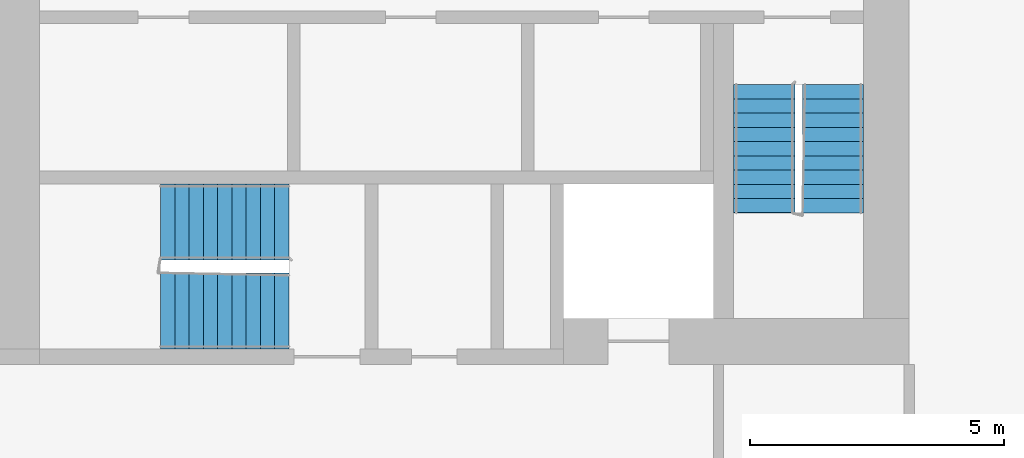
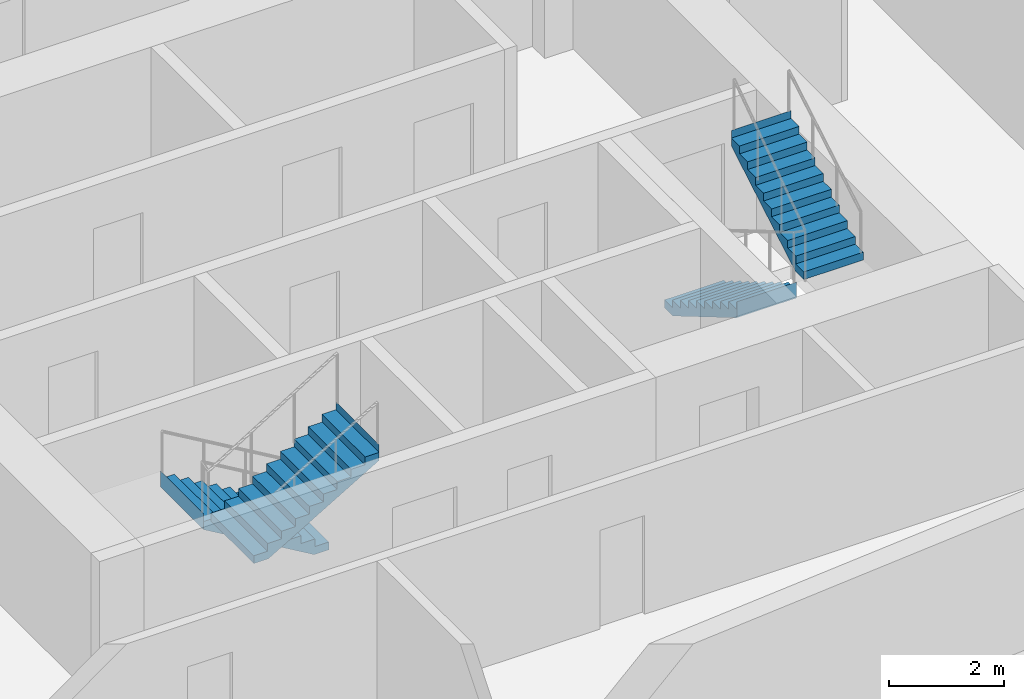
# One storey, part 8 of 11: 4 stair flights, 2 elements without a shape of their own.
"""IFC4 building model written with IfcOpenShell, lengths in metres."""

from ifc_helpers import new_model, si_unit, direction, frame, origin, place, context, subcontext, project, spatial, faceted_brep, material, type_object, element, aggregate, save


model = new_model("IFC4")

# Units and contexts
model_context = context("Model", 3, precision=1e-05, world=origin(), true_north=direction((0.0, 1.0)))
body_context = subcontext(model_context, "Body", "Model", "MODEL_VIEW")
ifc_project = project(units=[si_unit("LENGTHUNIT", "METRE"), si_unit("AREAUNIT", "SQUARE_METRE"), si_unit("VOLUMEUNIT", "CUBIC_METRE"), si_unit("PLANEANGLEUNIT", "RADIAN"), si_unit("MASSUNIT", "GRAM", prefix="KILO")], contexts=[model_context])

# Site, building, storey
site_placement = place(None, origin())
site = spatial("IfcSite", under=ifc_project, at=site_placement, CompositionType="ELEMENT")
building_placement = place(site_placement, origin())
building = spatial("IfcBuilding", under=site, at=building_placement, Name="Kajstack Hotel Tower", CompositionType="ELEMENT")
storey_placement = place(building_placement, frame((0.0, 0.0, 285.0)))
storey = spatial("IfcBuildingStorey", under=building, at=storey_placement, Name="L71", CompositionType="ELEMENT", Elevation=285.0)

# Stair, stair flights
ifc_material = material(Name="Concrete C40/50", Category="concrete")
stair_type_1 = type_object("IfcStairType", Name="Exit stair 1200", PredefinedType="HALF_TURN_STAIR", material=ifc_material)
stair_1_placement = place(storey_placement, origin())
stair_1 = element("IfcStair", 1, at=stair_1_placement, inside=storey, type_object=stair_type_1, Name="L71 stair W2", PredefinedType="HALF_TURN_STAIR")
stair_flight_type_1 = type_object("IfcStairFlightType", Name="Exit stair flight 1200", PredefinedType="STRAIGHT", material=ifc_material)
stair_flight_1_placement = place(storey_placement, frame((-16.35009765625, -10.0, 0.0), z_axis=(0.0, 0.0, 1.0), x_axis=(0.0, -1.0, 0.0)))
stair_flight_1 = element("IfcStairFlight", 2, at=stair_flight_1_placement, type_object=stair_flight_type_1, Name="W2 flight 1", NumberOfRisers=10, NumberOfTreads=9, PredefinedType="STRAIGHT", RiserHeight=0.165, TreadLength=0.28, context=body_context, shape_type="Brep", body=[
    faceted_brep([(0.295654296875, -0.60009765625, 0.0), (2.5205078125, -0.60009765625, 1.31103515625), (2.5205078125, -0.60009765625, 1.64990234375), (2.52001953125, -0.60009765625, 1.64990234375), (2.52001953125, -0.60009765625, 1.485107421875), (2.239990234375, -0.60009765625, 1.485107421875), (2.239990234375, -0.60009765625, 1.320068359375), (1.9599609375, -0.60009765625, 1.320068359375), (1.9599609375, -0.60009765625, 1.155029296875), (1.679931640625, -0.60009765625, 1.155029296875), (1.679931640625, -0.60009765625, 0.989990234375), (1.39990234375, -0.60009765625, 0.989990234375), (1.39990234375, -0.60009765625, 0.824951171875), (1.1201171875, -0.60009765625, 0.824951171875), (1.1201171875, -0.60009765625, 0.659912109375), (0.840087890625, -0.60009765625, 0.659912109375), (0.840087890625, -0.60009765625, 0.4951171875), (0.56005859375, -0.60009765625, 0.4951171875), (0.56005859375, -0.60009765625, 0.330078125), (0.280029296875, -0.60009765625, 0.330078125), (0.280029296875, -0.60009765625, 0.1650390625), (-0.00048828125, -0.60009765625, 0.1650390625), (-0.00048828125, -0.60009765625, 0.0), (-0.00048828125, 0.60009765625, 0.0), (-0.00048828125, 0.60009765625, 0.1650390625), (0.280029296875, 0.60009765625, 0.1650390625), (0.280029296875, 0.60009765625, 0.330078125), (0.56005859375, 0.60009765625, 0.330078125), (0.56005859375, 0.60009765625, 0.4951171875), (0.840087890625, 0.60009765625, 0.4951171875), (0.840087890625, 0.60009765625, 0.659912109375), (1.1201171875, 0.60009765625, 0.659912109375), (1.1201171875, 0.60009765625, 0.824951171875), (1.39990234375, 0.60009765625, 0.824951171875), (1.39990234375, 0.60009765625, 0.989990234375), (1.679931640625, 0.60009765625, 0.989990234375), (1.679931640625, 0.60009765625, 1.155029296875), (1.9599609375, 0.60009765625, 1.155029296875), (1.9599609375, 0.60009765625, 1.320068359375), (2.239990234375, 0.60009765625, 1.320068359375), (2.239990234375, 0.60009765625, 1.485107421875), (2.52001953125, 0.60009765625, 1.485107421875), (2.52001953125, 0.60009765625, 1.64990234375), (2.5205078125, 0.60009765625, 1.64990234375), (2.5205078125, 0.60009765625, 1.31103515625), (0.295654296875, 0.60009765625, 0.0), (-0.00048828125, -0.300048828125, 0.1650390625), (-0.00048828125, 0.0, 0.1650390625), (-0.00048828125, 0.300048828125, 0.1650390625), (-0.00048828125, 0.300048828125, 0.0), (-0.00048828125, 0.0, 0.0), (-0.00048828125, -0.300048828125, 0.0), (0.280029296875, -0.300048828125, 0.1650390625), (0.280029296875, 0.0, 0.1650390625), (0.280029296875, 0.300048828125, 0.1650390625), (0.280029296875, -0.300048828125, 0.330078125), (0.280029296875, 0.0, 0.330078125), (0.280029296875, 0.300048828125, 0.330078125), (0.56005859375, -0.300048828125, 0.330078125), (0.56005859375, 0.0, 0.330078125), (0.56005859375, 0.300048828125, 0.330078125), (0.56005859375, -0.300048828125, 0.4951171875), (0.56005859375, 0.0, 0.4951171875), (0.56005859375, 0.300048828125, 0.4951171875), (0.840087890625, -0.300048828125, 0.4951171875), (0.840087890625, 0.0, 0.4951171875), (0.840087890625, 0.300048828125, 0.4951171875), (0.840087890625, -0.300048828125, 0.659912109375), (0.840087890625, 0.0, 0.659912109375), (0.840087890625, 0.300048828125, 0.659912109375), (1.1201171875, -0.300048828125, 0.659912109375), (1.1201171875, 0.0, 0.659912109375), (1.1201171875, 0.300048828125, 0.659912109375), (1.1201171875, -0.300048828125, 0.824951171875), (1.1201171875, 0.0, 0.824951171875), (1.1201171875, 0.300048828125, 0.824951171875), (1.39990234375, -0.300048828125, 0.824951171875), (1.39990234375, 0.0, 0.824951171875), (1.39990234375, 0.300048828125, 0.824951171875), (1.39990234375, -0.300048828125, 0.989990234375), (1.39990234375, 0.0, 0.989990234375), (1.39990234375, 0.300048828125, 0.989990234375), (1.679931640625, -0.300048828125, 0.989990234375), (1.679931640625, 0.0, 0.989990234375), (1.679931640625, 0.300048828125, 0.989990234375), (1.679931640625, -0.300048828125, 1.155029296875), (1.679931640625, 0.0, 1.155029296875), (1.679931640625, 0.300048828125, 1.155029296875), (1.9599609375, -0.300048828125, 1.155029296875), (1.9599609375, 0.0, 1.155029296875), (1.9599609375, 0.300048828125, 1.155029296875), (1.9599609375, -0.300048828125, 1.320068359375), (1.9599609375, 0.0, 1.320068359375), (1.9599609375, 0.300048828125, 1.320068359375), (2.239990234375, -0.300048828125, 1.320068359375), (2.239990234375, 0.0, 1.320068359375), (2.239990234375, 0.300048828125, 1.320068359375), (2.239990234375, -0.300048828125, 1.485107421875), (2.239990234375, 0.0, 1.485107421875), (2.239990234375, 0.300048828125, 1.485107421875), (2.52001953125, -0.300048828125, 1.485107421875), (2.52001953125, 0.0, 1.485107421875), (2.52001953125, 0.300048828125, 1.485107421875), (2.52001953125, -0.300048828125, 1.64990234375), (2.52001953125, 0.0, 1.64990234375), (2.52001953125, 0.300048828125, 1.64990234375), (2.5205078125, -0.300048828125, 1.64990234375), (2.5205078125, 0.0, 1.64990234375), (2.5205078125, 0.300048828125, 1.64990234375), (2.5205078125, -0.300048828125, 1.31103515625), (2.5205078125, 0.0, 1.31103515625), (2.5205078125, 0.300048828125, 1.31103515625), (0.295654296875, -0.300048828125, 0.0), (0.295654296875, 0.0, 0.0), (0.295654296875, 0.300048828125, 0.0)], [[[0, 1, 2, 3, 4, 5, 6, 7, 8, 9, 10, 11, 12, 13, 14, 15, 16, 17, 18, 19, 20, 21, 22]], [[23, 24, 25, 26, 27, 28, 29, 30, 31, 32, 33, 34, 35, 36, 37, 38, 39, 40, 41, 42, 43, 44, 45]], [[21, 46, 47, 48, 24, 23, 49, 50, 51, 22]], [[20, 52, 53, 54, 25, 24, 48, 47, 46, 21]], [[19, 55, 56, 57, 26, 25, 54, 53, 52, 20]], [[18, 58, 59, 60, 27, 26, 57, 56, 55, 19]], [[17, 61, 62, 63, 28, 27, 60, 59, 58, 18]], [[16, 64, 65, 66, 29, 28, 63, 62, 61, 17]], [[15, 67, 68, 69, 30, 29, 66, 65, 64, 16]], [[14, 70, 71, 72, 31, 30, 69, 68, 67, 15]], [[13, 73, 74, 75, 32, 31, 72, 71, 70, 14]], [[12, 76, 77, 78, 33, 32, 75, 74, 73, 13]], [[11, 79, 80, 81, 34, 33, 78, 77, 76, 12]], [[10, 82, 83, 84, 35, 34, 81, 80, 79, 11]], [[9, 85, 86, 87, 36, 35, 84, 83, 82, 10]], [[8, 88, 89, 90, 37, 36, 87, 86, 85, 9]], [[7, 91, 92, 93, 38, 37, 90, 89, 88, 8]], [[6, 94, 95, 96, 39, 38, 93, 92, 91, 7]], [[5, 97, 98, 99, 40, 39, 96, 95, 94, 6]], [[4, 100, 101, 102, 41, 40, 99, 98, 97, 5]], [[3, 103, 104, 105, 42, 41, 102, 101, 100, 4]], [[2, 106, 107, 108, 43, 42, 105, 104, 103, 3]], [[1, 109, 110, 111, 44, 43, 108, 107, 106, 2]], [[0, 112, 113, 114, 45, 44, 111, 110, 109, 1]], [[22, 51, 50, 49, 23, 45, 114, 113, 112, 0]]]),
])
stair_flight_2_placement = place(storey_placement, frame((-15.0, -12.52001953125, 1.64990234375), z_axis=(0.0, 0.0, 1.0), x_axis=(0.0, 1.0, 0.0)))
stair_flight_2 = element("IfcStairFlight", 3, at=stair_flight_2_placement, type_object=stair_flight_type_1, Name="W2 flight 2", NumberOfRisers=10, NumberOfTreads=9, PredefinedType="STRAIGHT", RiserHeight=0.165, TreadLength=0.28, context=body_context, shape_type="Brep", body=[
    faceted_brep([(0.295654296875, -0.60009765625, 0.0), (2.5205078125, -0.60009765625, 1.31103515625), (2.5205078125, -0.60009765625, 1.64990234375), (2.52001953125, -0.60009765625, 1.64990234375), (2.52001953125, -0.60009765625, 1.485107421875), (2.239990234375, -0.60009765625, 1.485107421875), (2.239990234375, -0.60009765625, 1.320068359375), (1.9599609375, -0.60009765625, 1.320068359375), (1.9599609375, -0.60009765625, 1.155029296875), (1.679931640625, -0.60009765625, 1.155029296875), (1.679931640625, -0.60009765625, 0.989990234375), (1.39990234375, -0.60009765625, 0.989990234375), (1.39990234375, -0.60009765625, 0.824951171875), (1.1201171875, -0.60009765625, 0.824951171875), (1.1201171875, -0.60009765625, 0.659912109375), (0.840087890625, -0.60009765625, 0.659912109375), (0.840087890625, -0.60009765625, 0.4951171875), (0.56005859375, -0.60009765625, 0.4951171875), (0.56005859375, -0.60009765625, 0.330078125), (0.280029296875, -0.60009765625, 0.330078125), (0.280029296875, -0.60009765625, 0.1650390625), (-0.00048828125, -0.60009765625, 0.1650390625), (-0.00048828125, -0.60009765625, 0.0), (-0.00048828125, 0.60009765625, 0.0), (-0.00048828125, 0.60009765625, 0.1650390625), (0.280029296875, 0.60009765625, 0.1650390625), (0.280029296875, 0.60009765625, 0.330078125), (0.56005859375, 0.60009765625, 0.330078125), (0.56005859375, 0.60009765625, 0.4951171875), (0.840087890625, 0.60009765625, 0.4951171875), (0.840087890625, 0.60009765625, 0.659912109375), (1.1201171875, 0.60009765625, 0.659912109375), (1.1201171875, 0.60009765625, 0.824951171875), (1.39990234375, 0.60009765625, 0.824951171875), (1.39990234375, 0.60009765625, 0.989990234375), (1.679931640625, 0.60009765625, 0.989990234375), (1.679931640625, 0.60009765625, 1.155029296875), (1.9599609375, 0.60009765625, 1.155029296875), (1.9599609375, 0.60009765625, 1.320068359375), (2.239990234375, 0.60009765625, 1.320068359375), (2.239990234375, 0.60009765625, 1.485107421875), (2.52001953125, 0.60009765625, 1.485107421875), (2.52001953125, 0.60009765625, 1.64990234375), (2.5205078125, 0.60009765625, 1.64990234375), (2.5205078125, 0.60009765625, 1.31103515625), (0.295654296875, 0.60009765625, 0.0), (-0.00048828125, -0.300048828125, 0.1650390625), (-0.00048828125, 0.0, 0.1650390625), (-0.00048828125, 0.300048828125, 0.1650390625), (-0.00048828125, 0.300048828125, 0.0), (-0.00048828125, 0.0, 0.0), (-0.00048828125, -0.300048828125, 0.0), (0.280029296875, -0.300048828125, 0.1650390625), (0.280029296875, 0.0, 0.1650390625), (0.280029296875, 0.300048828125, 0.1650390625), (0.280029296875, -0.300048828125, 0.330078125), (0.280029296875, 0.0, 0.330078125), (0.280029296875, 0.300048828125, 0.330078125), (0.56005859375, -0.300048828125, 0.330078125), (0.56005859375, 0.0, 0.330078125), (0.56005859375, 0.300048828125, 0.330078125), (0.56005859375, -0.300048828125, 0.4951171875), (0.56005859375, 0.0, 0.4951171875), (0.56005859375, 0.300048828125, 0.4951171875), (0.840087890625, -0.300048828125, 0.4951171875), (0.840087890625, 0.0, 0.4951171875), (0.840087890625, 0.300048828125, 0.4951171875), (0.840087890625, -0.300048828125, 0.659912109375), (0.840087890625, 0.0, 0.659912109375), (0.840087890625, 0.300048828125, 0.659912109375), (1.1201171875, -0.300048828125, 0.659912109375), (1.1201171875, 0.0, 0.659912109375), (1.1201171875, 0.300048828125, 0.659912109375), (1.1201171875, -0.300048828125, 0.824951171875), (1.1201171875, 0.0, 0.824951171875), (1.1201171875, 0.300048828125, 0.824951171875), (1.39990234375, -0.300048828125, 0.824951171875), (1.39990234375, 0.0, 0.824951171875), (1.39990234375, 0.300048828125, 0.824951171875), (1.39990234375, -0.300048828125, 0.989990234375), (1.39990234375, 0.0, 0.989990234375), (1.39990234375, 0.300048828125, 0.989990234375), (1.679931640625, -0.300048828125, 0.989990234375), (1.679931640625, 0.0, 0.989990234375), (1.679931640625, 0.300048828125, 0.989990234375), (1.679931640625, -0.300048828125, 1.155029296875), (1.679931640625, 0.0, 1.155029296875), (1.679931640625, 0.300048828125, 1.155029296875), (1.9599609375, -0.300048828125, 1.155029296875), (1.9599609375, 0.0, 1.155029296875), (1.9599609375, 0.300048828125, 1.155029296875), (1.9599609375, -0.300048828125, 1.320068359375), (1.9599609375, 0.0, 1.320068359375), (1.9599609375, 0.300048828125, 1.320068359375), (2.239990234375, -0.300048828125, 1.320068359375), (2.239990234375, 0.0, 1.320068359375), (2.239990234375, 0.300048828125, 1.320068359375), (2.239990234375, -0.300048828125, 1.485107421875), (2.239990234375, 0.0, 1.485107421875), (2.239990234375, 0.300048828125, 1.485107421875), (2.52001953125, -0.300048828125, 1.485107421875), (2.52001953125, 0.0, 1.485107421875), (2.52001953125, 0.300048828125, 1.485107421875), (2.52001953125, -0.300048828125, 1.64990234375), (2.52001953125, 0.0, 1.64990234375), (2.52001953125, 0.300048828125, 1.64990234375), (2.5205078125, -0.300048828125, 1.64990234375), (2.5205078125, 0.0, 1.64990234375), (2.5205078125, 0.300048828125, 1.64990234375), (2.5205078125, -0.300048828125, 1.31103515625), (2.5205078125, 0.0, 1.31103515625), (2.5205078125, 0.300048828125, 1.31103515625), (0.295654296875, -0.300048828125, 0.0), (0.295654296875, 0.0, 0.0), (0.295654296875, 0.300048828125, 0.0)], [[[0, 1, 2, 3, 4, 5, 6, 7, 8, 9, 10, 11, 12, 13, 14, 15, 16, 17, 18, 19, 20, 21, 22]], [[23, 24, 25, 26, 27, 28, 29, 30, 31, 32, 33, 34, 35, 36, 37, 38, 39, 40, 41, 42, 43, 44, 45]], [[21, 46, 47, 48, 24, 23, 49, 50, 51, 22]], [[20, 52, 53, 54, 25, 24, 48, 47, 46, 21]], [[19, 55, 56, 57, 26, 25, 54, 53, 52, 20]], [[18, 58, 59, 60, 27, 26, 57, 56, 55, 19]], [[17, 61, 62, 63, 28, 27, 60, 59, 58, 18]], [[16, 64, 65, 66, 29, 28, 63, 62, 61, 17]], [[15, 67, 68, 69, 30, 29, 66, 65, 64, 16]], [[14, 70, 71, 72, 31, 30, 69, 68, 67, 15]], [[13, 73, 74, 75, 32, 31, 72, 71, 70, 14]], [[12, 76, 77, 78, 33, 32, 75, 74, 73, 13]], [[11, 79, 80, 81, 34, 33, 78, 77, 76, 12]], [[10, 82, 83, 84, 35, 34, 81, 80, 79, 11]], [[9, 85, 86, 87, 36, 35, 84, 83, 82, 10]], [[8, 88, 89, 90, 37, 36, 87, 86, 85, 9]], [[7, 91, 92, 93, 38, 37, 90, 89, 88, 8]], [[6, 94, 95, 96, 39, 38, 93, 92, 91, 7]], [[5, 97, 98, 99, 40, 39, 96, 95, 94, 6]], [[4, 100, 101, 102, 41, 40, 99, 98, 97, 5]], [[3, 103, 104, 105, 42, 41, 102, 101, 100, 4]], [[2, 106, 107, 108, 43, 42, 105, 104, 103, 3]], [[1, 109, 110, 111, 44, 43, 108, 107, 106, 2]], [[0, 112, 113, 114, 45, 44, 111, 110, 109, 1]], [[22, 51, 50, 49, 23, 45, 114, 113, 112, 0]]]),
])
aggregate(stair_1, [stair_flight_1, stair_flight_2])

stair_type_2 = type_object("IfcStairType", Name="Exit stair 1500", PredefinedType="HALF_TURN_STAIR", material=ifc_material)
stair_2_placement = place(storey_placement, origin())
stair_2 = element("IfcStair", 4, at=stair_2_placement, inside=storey, type_object=stair_type_2, Name="L71 stair W3", PredefinedType="HALF_TURN_STAIR")
stair_flight_type_2 = type_object("IfcStairFlightType", Name="Exit stair flight 1500", PredefinedType="STRAIGHT", material=ifc_material)
stair_flight_3_placement = place(storey_placement, frame((-25.699951171875, -12.699951171875, 0.0), z_axis=(0.0, 0.0, 1.0), x_axis=(-1.0, 0.0, 0.0)))
stair_flight_3 = element("IfcStairFlight", 5, at=stair_flight_3_placement, type_object=stair_flight_type_2, Name="W3 flight 1", NumberOfRisers=10, NumberOfTreads=9, PredefinedType="STRAIGHT", RiserHeight=0.165, TreadLength=0.28, context=body_context, shape_type="Brep", body=[
    faceted_brep([(0.295654296875, -0.75, 0.0), (2.5205078125, -0.75, 1.31103515625), (2.5205078125, -0.75, 1.64990234375), (2.52001953125, -0.75, 1.64990234375), (2.52001953125, -0.75, 1.485107421875), (2.239990234375, -0.75, 1.485107421875), (2.239990234375, -0.75, 1.320068359375), (1.9599609375, -0.75, 1.320068359375), (1.9599609375, -0.75, 1.155029296875), (1.679931640625, -0.75, 1.155029296875), (1.679931640625, -0.75, 0.989990234375), (1.39990234375, -0.75, 0.989990234375), (1.39990234375, -0.75, 0.824951171875), (1.1201171875, -0.75, 0.824951171875), (1.1201171875, -0.75, 0.659912109375), (0.840087890625, -0.75, 0.659912109375), (0.840087890625, -0.75, 0.4951171875), (0.56005859375, -0.75, 0.4951171875), (0.56005859375, -0.75, 0.330078125), (0.280029296875, -0.75, 0.330078125), (0.280029296875, -0.75, 0.1650390625), (-0.00048828125, -0.75, 0.1650390625), (-0.00048828125, -0.75, 0.0), (-0.00048828125, 0.75, 0.0), (-0.00048828125, 0.75, 0.1650390625), (0.280029296875, 0.75, 0.1650390625), (0.280029296875, 0.75, 0.330078125), (0.56005859375, 0.75, 0.330078125), (0.56005859375, 0.75, 0.4951171875), (0.840087890625, 0.75, 0.4951171875), (0.840087890625, 0.75, 0.659912109375), (1.1201171875, 0.75, 0.659912109375), (1.1201171875, 0.75, 0.824951171875), (1.39990234375, 0.75, 0.824951171875), (1.39990234375, 0.75, 0.989990234375), (1.679931640625, 0.75, 0.989990234375), (1.679931640625, 0.75, 1.155029296875), (1.9599609375, 0.75, 1.155029296875), (1.9599609375, 0.75, 1.320068359375), (2.239990234375, 0.75, 1.320068359375), (2.239990234375, 0.75, 1.485107421875), (2.52001953125, 0.75, 1.485107421875), (2.52001953125, 0.75, 1.64990234375), (2.5205078125, 0.75, 1.64990234375), (2.5205078125, 0.75, 1.31103515625), (0.295654296875, 0.75, 0.0), (-0.00048828125, -0.375, 0.1650390625), (-0.00048828125, 0.0, 0.1650390625), (-0.00048828125, 0.375, 0.1650390625), (-0.00048828125, 0.375, 0.0), (-0.00048828125, 0.0, 0.0), (-0.00048828125, -0.375, 0.0), (0.280029296875, -0.375, 0.1650390625), (0.280029296875, 0.0, 0.1650390625), (0.280029296875, 0.375, 0.1650390625), (0.280029296875, -0.375, 0.330078125), (0.280029296875, 0.0, 0.330078125), (0.280029296875, 0.375, 0.330078125), (0.56005859375, -0.375, 0.330078125), (0.56005859375, 0.0, 0.330078125), (0.56005859375, 0.375, 0.330078125), (0.56005859375, -0.375, 0.4951171875), (0.56005859375, 0.0, 0.4951171875), (0.56005859375, 0.375, 0.4951171875), (0.840087890625, -0.375, 0.4951171875), (0.840087890625, 0.0, 0.4951171875), (0.840087890625, 0.375, 0.4951171875), (0.840087890625, -0.375, 0.659912109375), (0.840087890625, 0.0, 0.659912109375), (0.840087890625, 0.375, 0.659912109375), (1.1201171875, -0.375, 0.659912109375), (1.1201171875, 0.0, 0.659912109375), (1.1201171875, 0.375, 0.659912109375), (1.1201171875, -0.375, 0.824951171875), (1.1201171875, 0.0, 0.824951171875), (1.1201171875, 0.375, 0.824951171875), (1.39990234375, -0.375, 0.824951171875), (1.39990234375, 0.0, 0.824951171875), (1.39990234375, 0.375, 0.824951171875), (1.39990234375, -0.375, 0.989990234375), (1.39990234375, 0.0, 0.989990234375), (1.39990234375, 0.375, 0.989990234375), (1.679931640625, -0.375, 0.989990234375), (1.679931640625, 0.0, 0.989990234375), (1.679931640625, 0.375, 0.989990234375), (1.679931640625, -0.375, 1.155029296875), (1.679931640625, 0.0, 1.155029296875), (1.679931640625, 0.375, 1.155029296875), (1.9599609375, -0.375, 1.155029296875), (1.9599609375, 0.0, 1.155029296875), (1.9599609375, 0.375, 1.155029296875), (1.9599609375, -0.375, 1.320068359375), (1.9599609375, 0.0, 1.320068359375), (1.9599609375, 0.375, 1.320068359375), (2.239990234375, -0.375, 1.320068359375), (2.239990234375, 0.0, 1.320068359375), (2.239990234375, 0.375, 1.320068359375), (2.239990234375, -0.375, 1.485107421875), (2.239990234375, 0.0, 1.485107421875), (2.239990234375, 0.375, 1.485107421875), (2.52001953125, -0.375, 1.485107421875), (2.52001953125, 0.0, 1.485107421875), (2.52001953125, 0.375, 1.485107421875), (2.52001953125, -0.375, 1.64990234375), (2.52001953125, 0.0, 1.64990234375), (2.52001953125, 0.375, 1.64990234375), (2.5205078125, -0.375, 1.64990234375), (2.5205078125, 0.0, 1.64990234375), (2.5205078125, 0.375, 1.64990234375), (2.5205078125, -0.375, 1.31103515625), (2.5205078125, 0.0, 1.31103515625), (2.5205078125, 0.375, 1.31103515625), (0.295654296875, -0.375, 0.0), (0.295654296875, 0.0, 0.0), (0.295654296875, 0.375, 0.0)], [[[0, 1, 2, 3, 4, 5, 6, 7, 8, 9, 10, 11, 12, 13, 14, 15, 16, 17, 18, 19, 20, 21, 22]], [[23, 24, 25, 26, 27, 28, 29, 30, 31, 32, 33, 34, 35, 36, 37, 38, 39, 40, 41, 42, 43, 44, 45]], [[21, 46, 47, 48, 24, 23, 49, 50, 51, 22]], [[20, 52, 53, 54, 25, 24, 48, 47, 46, 21]], [[19, 55, 56, 57, 26, 25, 54, 53, 52, 20]], [[18, 58, 59, 60, 27, 26, 57, 56, 55, 19]], [[17, 61, 62, 63, 28, 27, 60, 59, 58, 18]], [[16, 64, 65, 66, 29, 28, 63, 62, 61, 17]], [[15, 67, 68, 69, 30, 29, 66, 65, 64, 16]], [[14, 70, 71, 72, 31, 30, 69, 68, 67, 15]], [[13, 73, 74, 75, 32, 31, 72, 71, 70, 14]], [[12, 76, 77, 78, 33, 32, 75, 74, 73, 13]], [[11, 79, 80, 81, 34, 33, 78, 77, 76, 12]], [[10, 82, 83, 84, 35, 34, 81, 80, 79, 11]], [[9, 85, 86, 87, 36, 35, 84, 83, 82, 10]], [[8, 88, 89, 90, 37, 36, 87, 86, 85, 9]], [[7, 91, 92, 93, 38, 37, 90, 89, 88, 8]], [[6, 94, 95, 96, 39, 38, 93, 92, 91, 7]], [[5, 97, 98, 99, 40, 39, 96, 95, 94, 6]], [[4, 100, 101, 102, 41, 40, 99, 98, 97, 5]], [[3, 103, 104, 105, 42, 41, 102, 101, 100, 4]], [[2, 106, 107, 108, 43, 42, 105, 104, 103, 3]], [[1, 109, 110, 111, 44, 43, 108, 107, 106, 2]], [[0, 112, 113, 114, 45, 44, 111, 110, 109, 1]], [[22, 51, 50, 49, 23, 45, 114, 113, 112, 0]]]),
])
stair_flight_4_placement = place(storey_placement, frame((-28.219970703125, -14.449951171875, 1.64990234375), z_axis=(0.0, 0.0, 1.0), x_axis=(1.0, 0.0, 0.0)))
stair_flight_4 = element("IfcStairFlight", 6, at=stair_flight_4_placement, type_object=stair_flight_type_2, Name="W3 flight 2", NumberOfRisers=10, NumberOfTreads=9, PredefinedType="STRAIGHT", RiserHeight=0.165, TreadLength=0.28, context=body_context, shape_type="Brep", body=[
    faceted_brep([(0.295654296875, -0.75, 0.0), (2.5205078125, -0.75, 1.31103515625), (2.5205078125, -0.75, 1.64990234375), (2.52001953125, -0.75, 1.64990234375), (2.52001953125, -0.75, 1.485107421875), (2.239990234375, -0.75, 1.485107421875), (2.239990234375, -0.75, 1.320068359375), (1.9599609375, -0.75, 1.320068359375), (1.9599609375, -0.75, 1.155029296875), (1.679931640625, -0.75, 1.155029296875), (1.679931640625, -0.75, 0.989990234375), (1.39990234375, -0.75, 0.989990234375), (1.39990234375, -0.75, 0.824951171875), (1.1201171875, -0.75, 0.824951171875), (1.1201171875, -0.75, 0.659912109375), (0.840087890625, -0.75, 0.659912109375), (0.840087890625, -0.75, 0.4951171875), (0.56005859375, -0.75, 0.4951171875), (0.56005859375, -0.75, 0.330078125), (0.280029296875, -0.75, 0.330078125), (0.280029296875, -0.75, 0.1650390625), (-0.00048828125, -0.75, 0.1650390625), (-0.00048828125, -0.75, 0.0), (-0.00048828125, 0.75, 0.0), (-0.00048828125, 0.75, 0.1650390625), (0.280029296875, 0.75, 0.1650390625), (0.280029296875, 0.75, 0.330078125), (0.56005859375, 0.75, 0.330078125), (0.56005859375, 0.75, 0.4951171875), (0.840087890625, 0.75, 0.4951171875), (0.840087890625, 0.75, 0.659912109375), (1.1201171875, 0.75, 0.659912109375), (1.1201171875, 0.75, 0.824951171875), (1.39990234375, 0.75, 0.824951171875), (1.39990234375, 0.75, 0.989990234375), (1.679931640625, 0.75, 0.989990234375), (1.679931640625, 0.75, 1.155029296875), (1.9599609375, 0.75, 1.155029296875), (1.9599609375, 0.75, 1.320068359375), (2.239990234375, 0.75, 1.320068359375), (2.239990234375, 0.75, 1.485107421875), (2.52001953125, 0.75, 1.485107421875), (2.52001953125, 0.75, 1.64990234375), (2.5205078125, 0.75, 1.64990234375), (2.5205078125, 0.75, 1.31103515625), (0.295654296875, 0.75, 0.0), (-0.00048828125, -0.375, 0.1650390625), (-0.00048828125, 0.0, 0.1650390625), (-0.00048828125, 0.375, 0.1650390625), (-0.00048828125, 0.375, 0.0), (-0.00048828125, 0.0, 0.0), (-0.00048828125, -0.375, 0.0), (0.280029296875, -0.375, 0.1650390625), (0.280029296875, 0.0, 0.1650390625), (0.280029296875, 0.375, 0.1650390625), (0.280029296875, -0.375, 0.330078125), (0.280029296875, 0.0, 0.330078125), (0.280029296875, 0.375, 0.330078125), (0.56005859375, -0.375, 0.330078125), (0.56005859375, 0.0, 0.330078125), (0.56005859375, 0.375, 0.330078125), (0.56005859375, -0.375, 0.4951171875), (0.56005859375, 0.0, 0.4951171875), (0.56005859375, 0.375, 0.4951171875), (0.840087890625, -0.375, 0.4951171875), (0.840087890625, 0.0, 0.4951171875), (0.840087890625, 0.375, 0.4951171875), (0.840087890625, -0.375, 0.659912109375), (0.840087890625, 0.0, 0.659912109375), (0.840087890625, 0.375, 0.659912109375), (1.1201171875, -0.375, 0.659912109375), (1.1201171875, 0.0, 0.659912109375), (1.1201171875, 0.375, 0.659912109375), (1.1201171875, -0.375, 0.824951171875), (1.1201171875, 0.0, 0.824951171875), (1.1201171875, 0.375, 0.824951171875), (1.39990234375, -0.375, 0.824951171875), (1.39990234375, 0.0, 0.824951171875), (1.39990234375, 0.375, 0.824951171875), (1.39990234375, -0.375, 0.989990234375), (1.39990234375, 0.0, 0.989990234375), (1.39990234375, 0.375, 0.989990234375), (1.679931640625, -0.375, 0.989990234375), (1.679931640625, 0.0, 0.989990234375), (1.679931640625, 0.375, 0.989990234375), (1.679931640625, -0.375, 1.155029296875), (1.679931640625, 0.0, 1.155029296875), (1.679931640625, 0.375, 1.155029296875), (1.9599609375, -0.375, 1.155029296875), (1.9599609375, 0.0, 1.155029296875), (1.9599609375, 0.375, 1.155029296875), (1.9599609375, -0.375, 1.320068359375), (1.9599609375, 0.0, 1.320068359375), (1.9599609375, 0.375, 1.320068359375), (2.239990234375, -0.375, 1.320068359375), (2.239990234375, 0.0, 1.320068359375), (2.239990234375, 0.375, 1.320068359375), (2.239990234375, -0.375, 1.485107421875), (2.239990234375, 0.0, 1.485107421875), (2.239990234375, 0.375, 1.485107421875), (2.52001953125, -0.375, 1.485107421875), (2.52001953125, 0.0, 1.485107421875), (2.52001953125, 0.375, 1.485107421875), (2.52001953125, -0.375, 1.64990234375), (2.52001953125, 0.0, 1.64990234375), (2.52001953125, 0.375, 1.64990234375), (2.5205078125, -0.375, 1.64990234375), (2.5205078125, 0.0, 1.64990234375), (2.5205078125, 0.375, 1.64990234375), (2.5205078125, -0.375, 1.31103515625), (2.5205078125, 0.0, 1.31103515625), (2.5205078125, 0.375, 1.31103515625), (0.295654296875, -0.375, 0.0), (0.295654296875, 0.0, 0.0), (0.295654296875, 0.375, 0.0)], [[[0, 1, 2, 3, 4, 5, 6, 7, 8, 9, 10, 11, 12, 13, 14, 15, 16, 17, 18, 19, 20, 21, 22]], [[23, 24, 25, 26, 27, 28, 29, 30, 31, 32, 33, 34, 35, 36, 37, 38, 39, 40, 41, 42, 43, 44, 45]], [[21, 46, 47, 48, 24, 23, 49, 50, 51, 22]], [[20, 52, 53, 54, 25, 24, 48, 47, 46, 21]], [[19, 55, 56, 57, 26, 25, 54, 53, 52, 20]], [[18, 58, 59, 60, 27, 26, 57, 56, 55, 19]], [[17, 61, 62, 63, 28, 27, 60, 59, 58, 18]], [[16, 64, 65, 66, 29, 28, 63, 62, 61, 17]], [[15, 67, 68, 69, 30, 29, 66, 65, 64, 16]], [[14, 70, 71, 72, 31, 30, 69, 68, 67, 15]], [[13, 73, 74, 75, 32, 31, 72, 71, 70, 14]], [[12, 76, 77, 78, 33, 32, 75, 74, 73, 13]], [[11, 79, 80, 81, 34, 33, 78, 77, 76, 12]], [[10, 82, 83, 84, 35, 34, 81, 80, 79, 11]], [[9, 85, 86, 87, 36, 35, 84, 83, 82, 10]], [[8, 88, 89, 90, 37, 36, 87, 86, 85, 9]], [[7, 91, 92, 93, 38, 37, 90, 89, 88, 8]], [[6, 94, 95, 96, 39, 38, 93, 92, 91, 7]], [[5, 97, 98, 99, 40, 39, 96, 95, 94, 6]], [[4, 100, 101, 102, 41, 40, 99, 98, 97, 5]], [[3, 103, 104, 105, 42, 41, 102, 101, 100, 4]], [[2, 106, 107, 108, 43, 42, 105, 104, 103, 3]], [[1, 109, 110, 111, 44, 43, 108, 107, 106, 2]], [[0, 112, 113, 114, 45, 44, 111, 110, 109, 1]], [[22, 51, 50, 49, 23, 45, 114, 113, 112, 0]]]),
])
aggregate(stair_2, [stair_flight_3, stair_flight_4])

save(model, "model.ifc")
